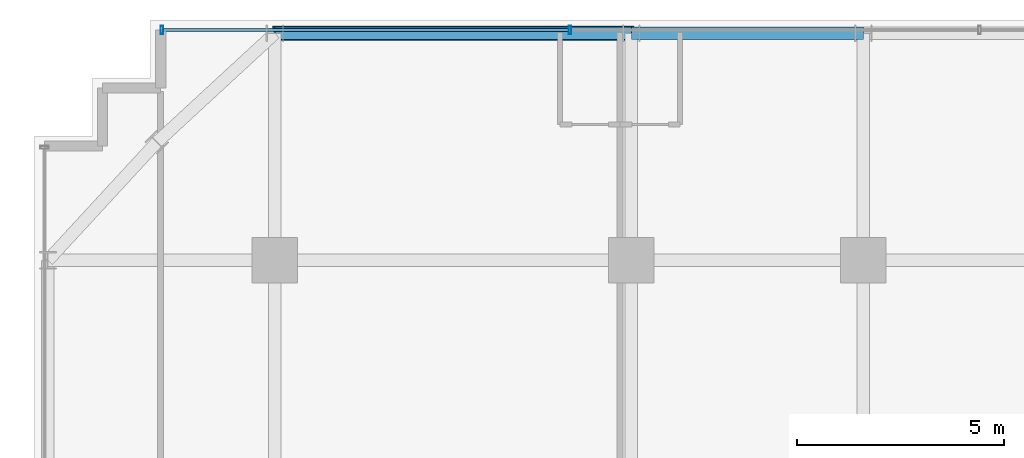
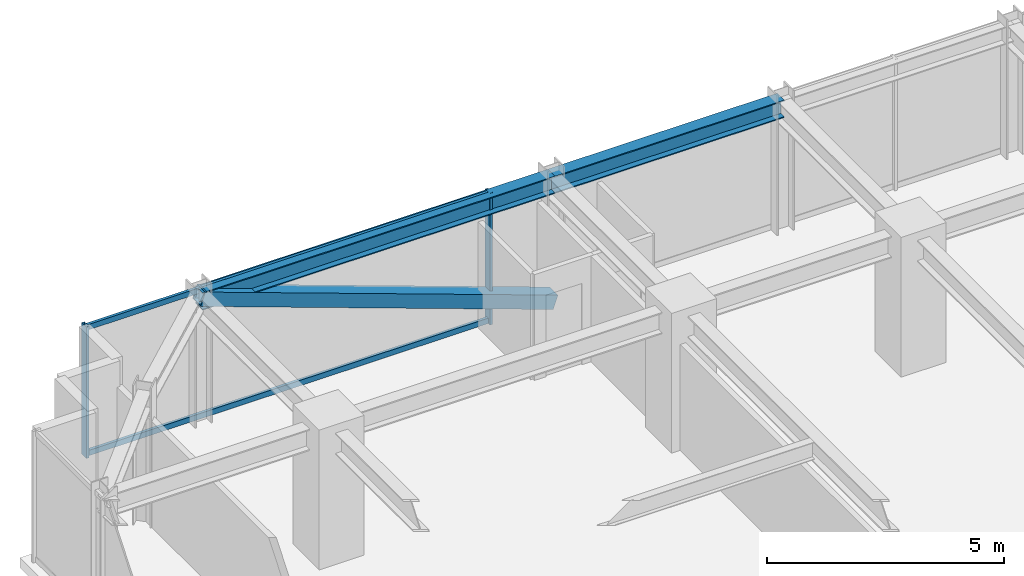
# One storey, part 23 of 36: 5 members, 2 beams, 1 element without a shape of its own.
"""IFC4 building model written with IfcOpenShell, lengths in metres."""

from ifc_helpers import new_model, si_unit, direction, frame, origin, origin_2d, place, context, subcontext, project, spatial, hollow_rectangle, i_section, extrude, source, transform, mapped, material, material_profile, profile_set, type_object, element, aggregate, save


model = new_model("IFC4")

# Units and contexts
model_context = context("Model", 3, precision=1e-05, world=origin(), true_north=direction((0.0, 1.0)))
body_context = subcontext(model_context, "Body", "Model", "MODEL_VIEW")
ifc_project = project(units=[si_unit("LENGTHUNIT", "METRE"), si_unit("AREAUNIT", "SQUARE_METRE"), si_unit("VOLUMEUNIT", "CUBIC_METRE"), si_unit("PLANEANGLEUNIT", "RADIAN"), si_unit("MASSUNIT", "GRAM", prefix="KILO")], contexts=[model_context])

# Site, building, storey
site_placement = place(None, origin())
site = spatial("IfcSite", under=ifc_project, at=site_placement, CompositionType="ELEMENT")
building_placement = place(site_placement, origin())
building = spatial("IfcBuilding", under=site, at=building_placement, Name="Nahalor Promenade Grand Hotel", CompositionType="ELEMENT")
storey_placement = place(building_placement, frame((0.0, 0.0, 170.89990234375)))
storey = spatial("IfcBuildingStorey", under=building, at=storey_placement, Name="L43", CompositionType="ELEMENT", Elevation=170.89990234375)

# Beams
ifc_material_1 = material(Name="Steel S355JR", Category="steel")
ifc_material_profile_1 = material_profile(ifc_material_1, i_section(OverallWidth=0.3, OverallDepth=0.45, WebThickness=0.014, FlangeThickness=0.026, at=origin_2d()), Name="HEB 450")
ifc_profile_set_1 = profile_set([ifc_material_profile_1], Name="Steel S355JR")
beam_type = type_object("IfcBeamType", Name="Beam-Spandrel-HEB450", PredefinedType="SPANDREL", material=ifc_profile_set_1)
shared_shape_1 = source(origin(), body_context, "Body", "SweptSolid", [
    extrude(i_section(OverallWidth=0.3, OverallDepth=0.45, WebThickness=0.014, FlangeThickness=0.026, at=origin_2d()), origin(), (0.0, 0.0, 1.0), 8.60009765625),
])
beam_1_placement = place(storey_placement, frame((-17.0, 22.47998046875, 3.1650390625), z_axis=(1.0, 0.0, 0.0), x_axis=(0.0, 1.0, 0.0)))
element("IfcBeam", 1, at=beam_1_placement, inside=storey, type_object=beam_type, Name="BM-L43-SP-N-0", PredefinedType="SPANDREL", context=body_context, shape_type="MappedRepresentation", body=[
    mapped(shared_shape_1, transform((0.0, 0.0, 0.0), scale=1.0)),
])
shared_shape_2 = source(origin(), body_context, "Body", "SweptSolid", [
    extrude(i_section(OverallWidth=0.3, OverallDepth=0.45, WebThickness=0.014, FlangeThickness=0.026, at=origin_2d()), origin(), (0.0, 0.0, 1.0), 5.599853515625),
])
beam_2_placement = place(storey_placement, frame((-8.39990234375, 22.47998046875, 3.1650390625), z_axis=(1.0, 0.0, 0.0), x_axis=(0.0, 1.0, 0.0)))
element("IfcBeam", 2, at=beam_2_placement, inside=storey, type_object=beam_type, Name="BM-L43-SP-N-1", PredefinedType="SPANDREL", context=body_context, shape_type="MappedRepresentation", body=[
    mapped(shared_shape_2, transform((0.0, 0.0, 0.0), scale=1.0)),
])

# Member
ifc_material_profile_2 = material_profile(ifc_material_1, hollow_rectangle(XDim=0.35, YDim=0.35, WallThickness=0.02, at=origin_2d()), Name="SHS 350x350x20")
ifc_profile_set_2 = profile_set([ifc_material_profile_2], Name="Steel S355JR")
member_type_1 = type_object("IfcMemberType", Name="Mem-VoidBrace-SHS350", PredefinedType="BRACE", material=ifc_profile_set_2)
shared_shape_3 = source(origin(), body_context, "Body", "SweptSolid", [
    extrude(hollow_rectangle(XDim=0.35, YDim=0.35, WallThickness=0.02, at=origin_2d()), origin(), (0.0, 0.0, 1.0), 9.138427734375),
])
member_1_placement = place(storey_placement, frame((-8.39990234375, 22.47998046875, 0.150146484375), z_axis=(-0.941103144716, 0.0, 0.338119610501), x_axis=(0.0, -1.0, 0.0)))
element("IfcMember", 3, at=member_1_placement, inside=storey, type_object=member_type_1, Name="EXO-L43-N-0", PredefinedType="BRACE", context=body_context, shape_type="MappedRepresentation", body=[
    mapped(shared_shape_3, transform((0.0, 0.0, 0.0), scale=1.0)),
])

# Curtain wall, members
ifc_material_2 = material(Name="Anodised Bronze Aluminium EN AW-6063 T6", Category="aluminium")
curtain_wall_type = type_object("IfcCurtainWallType", Name="CW3 Elliptical-Void Collar Unitised Curtain Wall", PredefinedType="USERDEFINED", material=ifc_material_2)
curtain_wall_placement = place(storey_placement, origin())
curtain_wall = element("IfcCurtainWall", 4, at=curtain_wall_placement, inside=storey, type_object=curtain_wall_type, Name="L43 Curtain Wall CW-L43-N-1", ObjectType="UNITISED_CURTAIN_WALL", PredefinedType="USERDEFINED")
ifc_material_profile_3 = material_profile(ifc_material_2, hollow_rectangle(XDim=0.07, YDim=0.2, WallThickness=0.005, at=origin_2d()), Name="CWM 70x200x5")
ifc_profile_set_3 = profile_set([ifc_material_profile_3], Name="Anodised Bronze Aluminium EN AW-6063 T6")
member_type_2 = type_object("IfcMemberType", Name="CWM3 Void Collar Mullion 70x200", PredefinedType="MULLION", material=ifc_profile_set_3)
shared_shape_4 = source(origin(), body_context, "Body", "SweptSolid", [
    extrude(hollow_rectangle(XDim=0.07, YDim=0.2, WallThickness=0.005, at=origin_2d()), origin(), (0.0, 0.0, 1.0), 3.39013671875),
])
member_2_placement = place(storey_placement, frame((-19.72509765625, 22.56005859375, 0.0), z_axis=(0.0, 0.0, 1.0), x_axis=(1.0, 0.0, 0.0)))
member_2 = element("IfcMember", 5, at=member_2_placement, type_object=member_type_2, Name="CW-L43-N-1 Mullion 0", PredefinedType="MULLION", context=body_context, shape_type="MappedRepresentation", body=[
    mapped(shared_shape_4, transform((0.0, 0.0, 0.0), scale=1.0)),
])
member_3_placement = place(storey_placement, frame((-9.8798828125, 22.56005859375, 0.0), z_axis=(0.0, 0.0, 1.0), x_axis=(1.0, 0.0, 0.0)))
member_3 = element("IfcMember", 6, at=member_3_placement, type_object=member_type_2, Name="CW-L43-N-1 Mullion 1", PredefinedType="MULLION", context=body_context, shape_type="MappedRepresentation", body=[
    mapped(shared_shape_4, transform((0.0, 0.0, 0.0), scale=1.0)),
])
ifc_material_profile_4 = material_profile(ifc_material_2, hollow_rectangle(XDim=0.07, YDim=0.14, WallThickness=0.004, at=origin_2d()), Name="CWT 70x140x4")
ifc_profile_set_4 = profile_set([ifc_material_profile_4], Name="Anodised Bronze Aluminium EN AW-6063 T6")
member_type_3 = type_object("IfcMemberType", Name="CWT3 Void Collar Transom 70x140", PredefinedType="USERDEFINED", material=ifc_profile_set_4)
shared_shape_5 = source(origin(), body_context, "Body", "SweptSolid", [
    extrude(hollow_rectangle(XDim=0.07, YDim=0.14, WallThickness=0.004, at=origin_2d()), origin(), (0.0, 0.0, 1.0), 9.77490234375),
])
member_4_placement = place(storey_placement, frame((-19.68994140625, 22.56005859375, 0.070068359375), z_axis=(1.0, 0.0, 0.0), x_axis=(0.0, 1.0, 0.0)))
member_4 = element("IfcMember", 7, at=member_4_placement, type_object=member_type_3, Name="CW-L43-N-1 Transom 0-0", ObjectType="TRANSOM", PredefinedType="USERDEFINED", context=body_context, shape_type="MappedRepresentation", body=[
    mapped(shared_shape_5, transform((0.0, 0.0, 0.0), scale=1.0)),
])
member_5_placement = place(storey_placement, frame((-19.68994140625, 22.56005859375, 3.320068359375), z_axis=(1.0, 0.0, 0.0), x_axis=(0.0, 1.0, 0.0)))
member_5 = element("IfcMember", 8, at=member_5_placement, type_object=member_type_3, Name="CW-L43-N-1 Transom 0-1", ObjectType="TRANSOM", PredefinedType="USERDEFINED", context=body_context, shape_type="MappedRepresentation", body=[
    mapped(shared_shape_5, transform((0.0, 0.0, 0.0), scale=1.0)),
])
aggregate(curtain_wall, [member_2, member_3, member_4, member_5])

save(model, "model.ifc")
